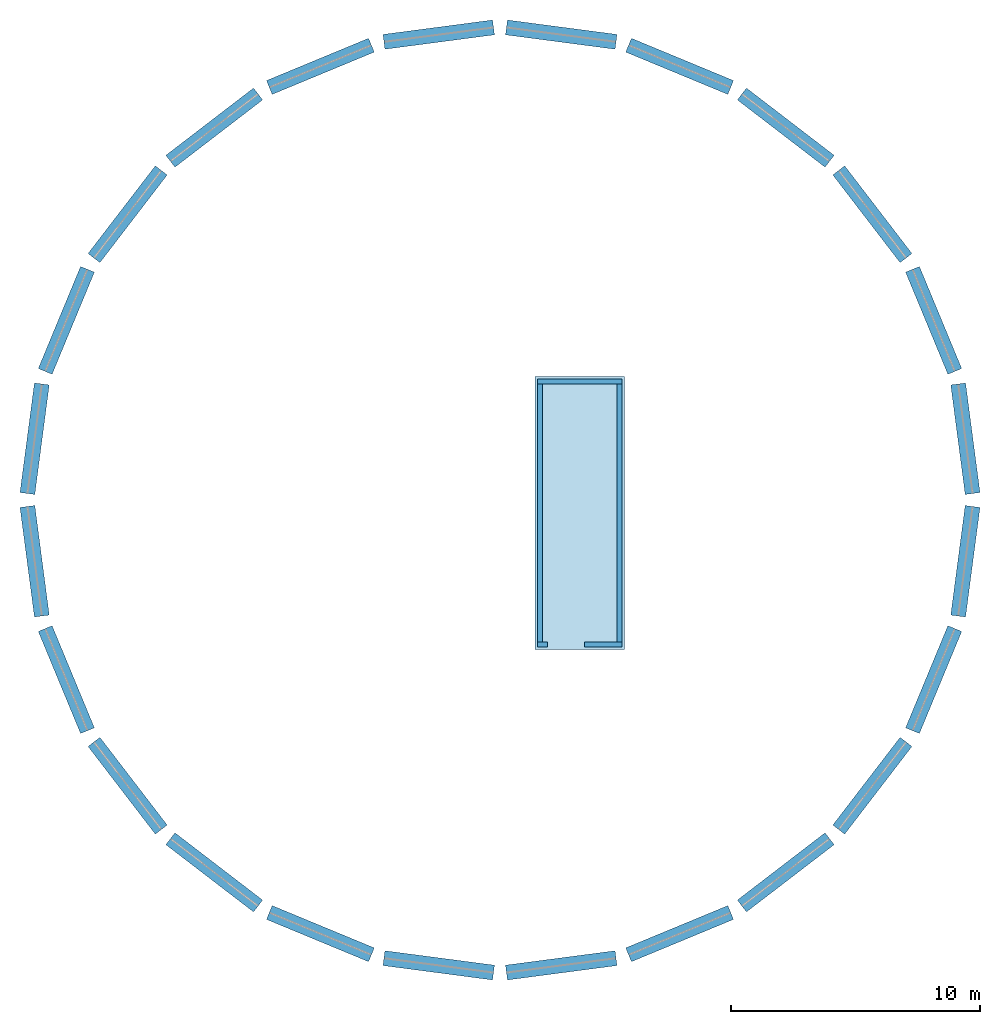
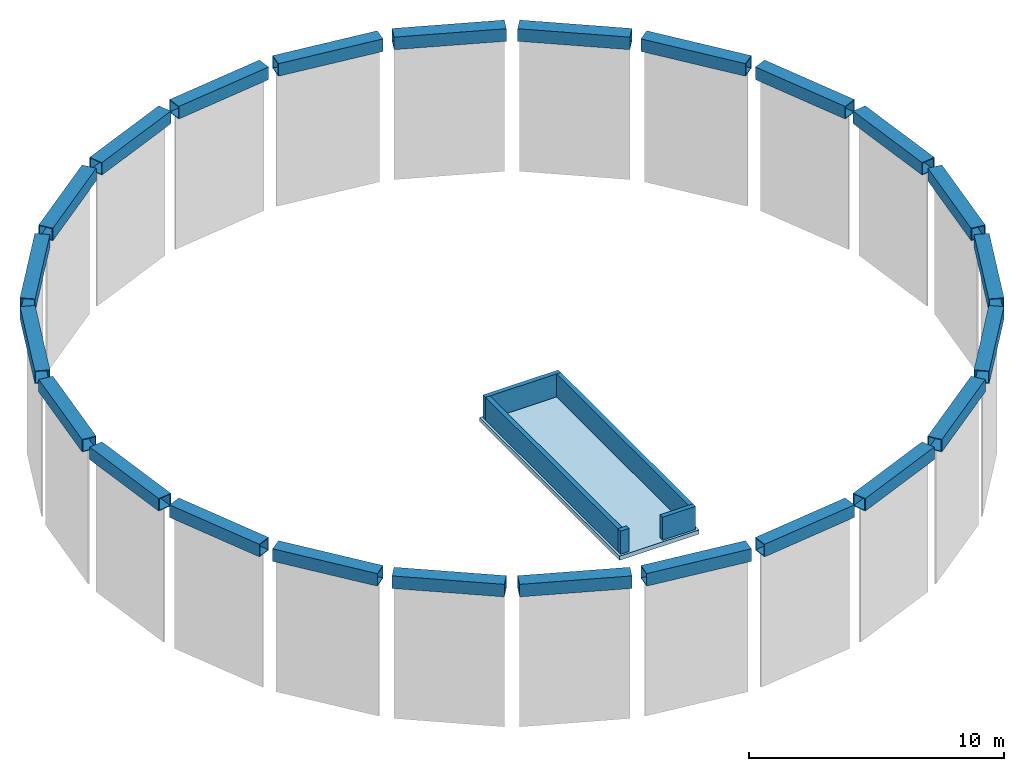
# One storey, part 1 of 2: 24 beams, 5 walls, 1 slab.
"""IFC4 building model written with IfcOpenShell, lengths in metres."""

from ifc_helpers import new_model, si_unit, direction, frame, origin, origin_2d, place, context, subcontext, project, spatial, polyline, hollow_rectangle, outline, extrude, source, transform, mapped, material, layer, layer_set, material_profile, profile_set, type_object, element, save


model = new_model("IFC4")

# Units and contexts
model_context = context("Model", 3, precision=1e-05, world=origin(), true_north=direction((0.0, 1.0)))
body_context = subcontext(model_context, "Body", "Model", "MODEL_VIEW")
ifc_project = project(units=[si_unit("LENGTHUNIT", "METRE"), si_unit("AREAUNIT", "SQUARE_METRE"), si_unit("VOLUMEUNIT", "CUBIC_METRE"), si_unit("PLANEANGLEUNIT", "RADIAN"), si_unit("MASSUNIT", "GRAM", prefix="KILO")], contexts=[model_context])

# Site, building, storey
site_placement = place(None, origin())
site = spatial("IfcSite", under=ifc_project, at=site_placement, CompositionType="ELEMENT")
building_placement = place(site_placement, origin())
building = spatial("IfcBuilding", under=site, at=building_placement, Name="Triune Harvest Tower", CompositionType="ELEMENT")
storey_placement = place(building_placement, frame((0.0, 0.0, 304.699951171875)))
storey = spatial("IfcBuildingStorey", under=building, at=storey_placement, Name="ROOF LIFT HEAD", CompositionType="ELEMENT", Elevation=304.699951171875)

# Beams
ifc_material_1 = material(Name="Steel ASTM A572 Gr 50", Category="steel")
ifc_material_profile = material_profile(ifc_material_1, hollow_rectangle(XDim=0.60009765625, YDim=0.60009765625, WallThickness=0.030029296875, at=origin_2d()), Name="Box 600x600x30")
ifc_profile_set = profile_set([ifc_material_profile], Name="Steel ASTM A572 Gr 50")
beam_type = type_object("IfcBeamType", Name="CF-2 Crown frame ring beam Box 600x600x30", PredefinedType="BEAM", material=ifc_profile_set)
shared_shape_1 = source(origin(), body_context, "Body", "SweptSolid", [
    extrude(hollow_rectangle(XDim=0.60009765625, YDim=0.60009765625, WallThickness=0.030029296875, at=origin_2d()), origin(), (0.0, 0.0, 1.0), 4.434326171875),
])
for number, where, z_axis, x_axis, name in (
    (1, (18.9658203125, 0.260498046875, 8.699951171875), (-0.130537114439, 0.991443423375, 0.0), (-0.991443423375, -0.130537114439, 0.0), "CROWN FRAME top ring beam 1"),
    (2, (16.29443359375, 9.70849609375, 8.699951171875), (-0.608755125753, 0.79335817691, 0.0), (-0.79335817691, -0.608755125753, 0.0), "CROWN FRAME top ring beam 3"),
    (3, (13.2265625, 13.594970703125, 8.699951171875), (-0.79335817691, 0.608755125753, 0.0), (-0.608755125753, -0.79335817691, 0.0), "CROWN FRAME top ring beam 4"),
    (4, (4.656982421875, 18.386962890625, 8.699951171875), (-0.991443423375, 0.130537114439, 0.0), (-0.130537114439, -0.991443423375, 0.0), "CROWN FRAME top ring beam 6"),
    (5, (-0.260498046875, 18.9658203125, 8.699951171875), (-0.991443423375, -0.130537114439, 0.0), (0.130537114439, -0.991443423375, 0.0), "CROWN FRAME top ring beam 7"),
    (6, (-9.70849609375, 16.29443359375, 8.699951171875), (-0.79335817691, -0.608755125753, 0.0), (0.608755125753, -0.79335817691, 0.0), "CROWN FRAME top ring beam 9"),
    (7, (-13.594970703125, 13.2265625, 8.699951171875), (-0.608755125753, -0.79335817691, 0.0), (0.79335817691, -0.608755125753, 0.0), "CROWN FRAME top ring beam 10"),
    (8, (-18.386962890625, 4.656982421875, 8.699951171875), (-0.130537114439, -0.991443423375, 0.0), (0.991443423375, -0.130537114439, 0.0), "CROWN FRAME top ring beam 12"),
    (9, (-18.9658203125, -0.260498046875, 8.699951171875), (0.130537114439, -0.991443423375, 0.0), (0.991443423375, 0.130537114439, 0.0), "CROWN FRAME top ring beam 13"),
    (10, (-16.29443359375, -9.70849609375, 8.699951171875), (0.608755125753, -0.79335817691, 0.0), (0.79335817691, 0.608755125753, 0.0), "CROWN FRAME top ring beam 15"),
    (11, (-13.2265625, -13.594970703125, 8.699951171875), (0.79335817691, -0.608755125753, 0.0), (0.608755125753, 0.79335817691, 0.0), "CROWN FRAME top ring beam 16"),
    (12, (-4.656982421875, -18.386962890625, 8.699951171875), (0.991443423375, -0.130537114439, 0.0), (0.130537114439, 0.991443423375, 0.0), "CROWN FRAME top ring beam 18"),
    (13, (0.260498046875, -18.9658203125, 8.699951171875), (0.991443423375, 0.130537114439, 0.0), (-0.130537114439, 0.991443423375, 0.0), "CROWN FRAME top ring beam 19"),
    (14, (9.70849609375, -16.29443359375, 8.699951171875), (0.79335817691, 0.608755125753, 0.0), (-0.608755125753, 0.79335817691, 0.0), "CROWN FRAME top ring beam 21"),
    (15, (13.594970703125, -13.2265625, 8.699951171875), (0.608755125753, 0.79335817691, 0.0), (-0.79335817691, 0.608755125753, 0.0), "CROWN FRAME top ring beam 22"),
    (16, (18.386962890625, -4.656982421875, 8.699951171875), (0.130537114439, 0.991443423375, 0.0), (-0.991443423375, 0.130537114439, 0.0), "CROWN FRAME top ring beam 24"),
):
    element("IfcBeam", number, at=place(storey_placement, frame(where, z_axis=z_axis, x_axis=x_axis)), inside=storey, type_object=beam_type, Name=name, PredefinedType="BEAM", context=body_context, shape_type="MappedRepresentation", body=[
        mapped(shared_shape_1, transform((0.0, 0.0, 0.0), scale=1.0)),
    ])
shared_shape_2 = source(origin(), body_context, "Body", "SweptSolid", [
    extrude(hollow_rectangle(XDim=0.60009765625, YDim=0.60009765625, WallThickness=0.030029296875, at=origin_2d()), origin(), (0.0, 0.0, 1.0), 4.43408203125),
])
for number, where, z_axis, x_axis, name in (
    (17, (18.251953125, 5.160400390625, 8.699951171875), (-0.382659766273, 0.923889334973, 0.0), (-0.923889334973, -0.382659766273, 0.0), "CROWN FRAME top ring beam 2"),
    (18, (9.257080078125, 16.55517578125, 8.699951171875), (-0.923889334973, 0.382659766273, 0.0), (-0.382659766273, -0.923889334973, 0.0), "CROWN FRAME top ring beam 5"),
    (19, (-5.160400390625, 18.251953125, 8.699951171875), (-0.923889334973, -0.382659766273, 0.0), (0.382659766273, -0.923889334973, 0.0), "CROWN FRAME top ring beam 8"),
    (20, (-16.55517578125, 9.257080078125, 8.699951171875), (-0.382659766273, -0.923889334973, 0.0), (0.923889334973, -0.382659766273, 0.0), "CROWN FRAME top ring beam 11"),
    (21, (-18.251953125, -5.160400390625, 8.699951171875), (0.382659766273, -0.923889334973, 0.0), (0.923889334973, 0.382659766273, 0.0), "CROWN FRAME top ring beam 14"),
    (22, (-9.257080078125, -16.55517578125, 8.699951171875), (0.923889334973, -0.382659766273, 0.0), (0.382659766273, 0.923889334973, 0.0), "CROWN FRAME top ring beam 17"),
    (23, (5.160400390625, -18.251953125, 8.699951171875), (0.923889334973, 0.382659766273, 0.0), (-0.382659766273, 0.923889334973, 0.0), "CROWN FRAME top ring beam 20"),
    (24, (16.55517578125, -9.257080078125, 8.699951171875), (0.382659766273, 0.923889334973, 0.0), (-0.923889334973, 0.382659766273, 0.0), "CROWN FRAME top ring beam 23"),
):
    element("IfcBeam", number, at=place(storey_placement, frame(where, z_axis=z_axis, x_axis=x_axis)), inside=storey, type_object=beam_type, Name=name, PredefinedType="BEAM", context=body_context, shape_type="MappedRepresentation", body=[
        mapped(shared_shape_2, transform((0.0, 0.0, 0.0), scale=1.0)),
    ])

# Slab
ifc_material_2 = material(Name="Concrete 40 MPa", Category="concrete")
ifc_layer_1 = layer(ifc_material_2, 0.199951171875)
ifc_layer_set_1 = layer_set([ifc_layer_1], Name="Concrete 40 MPa")
slab_type = type_object("IfcSlabType", Name="RR-1 roof slab 200", PredefinedType="ROOF", material=ifc_layer_set_1)
slab_placement = place(storey_placement, frame((0.0, 0.0, -0.199951171875)))
element("IfcSlab", 25, at=slab_placement, inside=storey, type_object=slab_type, Name="Lift head-house roof slab", PredefinedType="ROOF", context=body_context, shape_type="SweptSolid", body=[
    extrude(outline(polyline([(1.39990234375, -5.989990234375), (5.0, -5.989990234375), (5.0, 4.9599609375), (1.39990234375, 4.9599609375), (1.39990234375, -5.989990234375)])), origin(), (0.0, 0.0, 1.0), 0.199951171875),
])

# Walls
ifc_material_3 = material(Name="Concrete 40 MPa", Category="concrete")
ifc_layer_2 = layer(ifc_material_3, 0.199951171875)
ifc_layer_set_2 = layer_set([ifc_layer_2], Name="Concrete 40 MPa")
wall_type = type_object("IfcWallType", Name="PA-1 parapet 200", PredefinedType="PARAPET", material=ifc_layer_set_2)
wall_1_placement = place(storey_placement, origin())
element("IfcWall", 26, at=wall_1_placement, inside=storey, type_object=wall_type, Name="Parapet lift head roof 1", PredefinedType="PARAPET", context=body_context, shape_type="SweptSolid", body=[
    extrude(outline(polyline([(1.5, 4.659912109375), (4.89990234375, 4.659912109375), (4.89990234375, 4.860107421875), (1.5, 4.860107421875), (1.5, 4.659912109375)])), origin(), (0.0, 0.0, 1.0), 1.10009765625),
])
wall_2_placement = place(storey_placement, origin())
element("IfcWall", 27, at=wall_2_placement, inside=storey, type_object=wall_type, Name="Parapet lift head roof 2", PredefinedType="PARAPET", context=body_context, shape_type="SweptSolid", body=[
    extrude(outline(polyline([(1.5, -5.68994140625), (1.699951171875, -5.68994140625), (1.699951171875, 4.659912109375), (1.5, 4.659912109375), (1.5, -5.68994140625)])), origin(), (0.0, 0.0, 1.0), 1.10009765625),
])
wall_3_placement = place(storey_placement, origin())
element("IfcWall", 28, at=wall_3_placement, inside=storey, type_object=wall_type, Name="Parapet lift head roof 3", PredefinedType="PARAPET", context=body_context, shape_type="SweptSolid", body=[
    extrude(outline(polyline([(4.699951171875, -5.68994140625), (4.89990234375, -5.68994140625), (4.89990234375, 4.659912109375), (4.699951171875, 4.659912109375), (4.699951171875, -5.68994140625)])), origin(), (0.0, 0.0, 1.0), 1.10009765625),
])
wall_4_placement = place(storey_placement, origin())
element("IfcWall", 29, at=wall_4_placement, inside=storey, type_object=wall_type, Name="Parapet lift head roof 4", PredefinedType="PARAPET", context=body_context, shape_type="SweptSolid", body=[
    extrude(outline(polyline([(1.5, -5.889892578125), (1.89990234375, -5.889892578125), (1.89990234375, -5.68994140625), (1.5, -5.68994140625), (1.5, -5.889892578125)])), origin(), (0.0, 0.0, 1.0), 1.10009765625),
])
wall_5_placement = place(storey_placement, origin())
element("IfcWall", 30, at=wall_5_placement, inside=storey, type_object=wall_type, Name="Parapet lift head roof 5", PredefinedType="PARAPET", context=body_context, shape_type="SweptSolid", body=[
    extrude(outline(polyline([(3.39990234375, -5.889892578125), (4.89990234375, -5.889892578125), (4.89990234375, -5.68994140625), (3.39990234375, -5.68994140625), (3.39990234375, -5.889892578125)])), origin(), (0.0, 0.0, 1.0), 1.10009765625),
])

save(model, "model.ifc")
